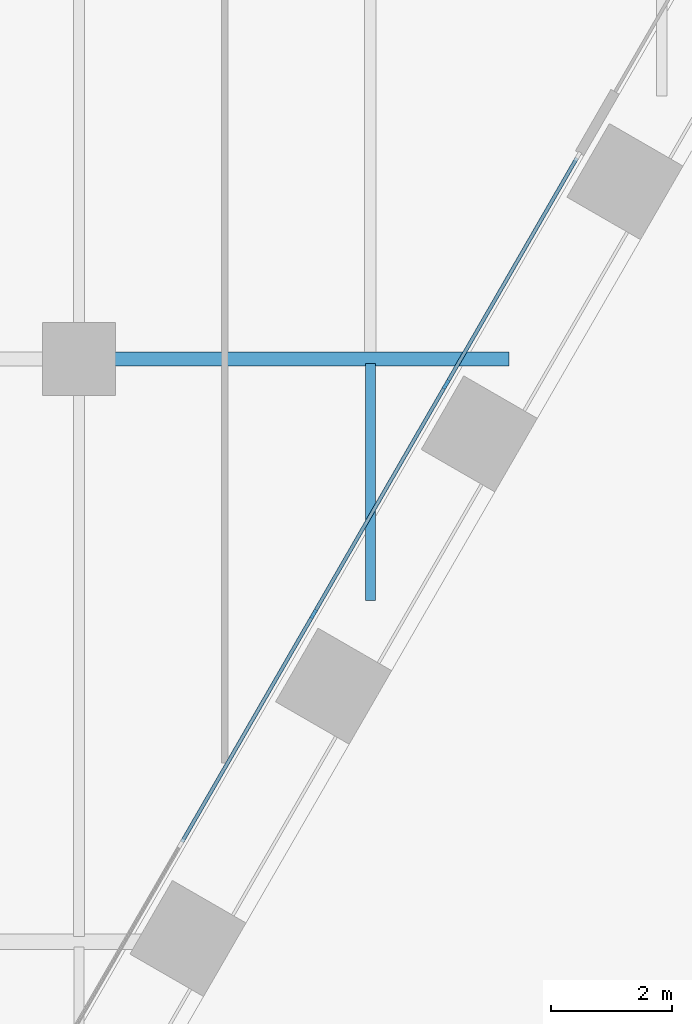
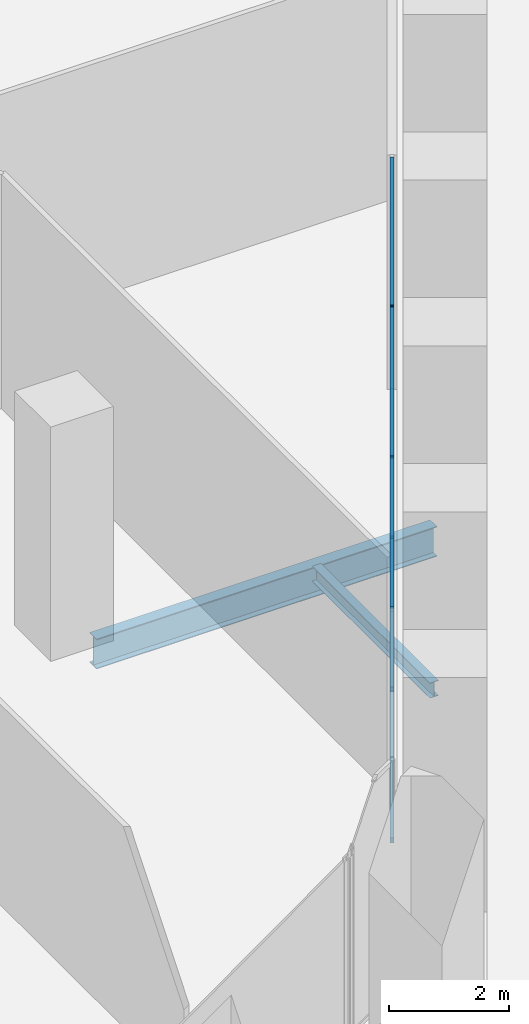
# One storey, part 5 of 29: 8 members, 2 beams, 1 element without a shape of its own.
"""IFC4 building model written with IfcOpenShell, lengths in metres."""

from ifc_helpers import new_model, si_unit, direction, frame, origin, origin_2d, place, context, subcontext, project, spatial, rectangle, i_section, extrude, material, material_profile, profile_set, type_object, element, aggregate, save


model = new_model("IFC4")

# Units and contexts
model_context = context("Model", 3, precision=1e-05, world=origin(), true_north=direction((0.0, 1.0)))
body_context = subcontext(model_context, "Body", "Model", "MODEL_VIEW")
ifc_project = project(units=[si_unit("LENGTHUNIT", "METRE"), si_unit("AREAUNIT", "SQUARE_METRE"), si_unit("VOLUMEUNIT", "CUBIC_METRE"), si_unit("PLANEANGLEUNIT", "RADIAN"), si_unit("MASSUNIT", "GRAM", prefix="KILO")], contexts=[model_context])

# Site, building, storey
site_placement = place(None, origin())
site = spatial("IfcSite", under=ifc_project, at=site_placement, CompositionType="ELEMENT")
building_placement = place(site_placement, origin())
building = spatial("IfcBuilding", under=site, at=building_placement, Name="Kolab Exchange Tower", CompositionType="ELEMENT")
storey_placement = place(building_placement, frame((0.0, 0.0, 17.39990234375)))
storey = spatial("IfcBuildingStorey", under=building, at=storey_placement, Name="L03", CompositionType="ELEMENT", Elevation=17.39990234375)

# Beams
ifc_material_1 = material(Name="Steel S355", Category="steel")
ifc_material_profile_1 = material_profile(ifc_material_1, i_section(OverallWidth=0.1650390625, OverallDepth=0.31005859375, WebThickness=0.005859375, FlangeThickness=0.009765625, at=origin_2d()), Name="W310X39")
ifc_profile_set_1 = profile_set([ifc_material_profile_1], Name="Steel S355")
beam_type_1 = type_object("IfcBeamType", Name="FLOOR BEAM W310X39", PredefinedType="BEAM", material=ifc_profile_set_1)
beam_1_placement = place(storey_placement, frame((24.0, -23.181396484375, -0.40478515625), z_axis=(0.0, 1.0, 0.0), x_axis=(-1.0, 0.0, 0.0)))
element("IfcBeam", 1, at=beam_1_placement, inside=storey, type_object=beam_type_1, Name="beam/L03/fr/068", PredefinedType="BEAM", context=body_context, shape_type="SweptSolid", body=[
    extrude(i_section(OverallWidth=0.1650390625, OverallDepth=0.31005859375, WebThickness=0.005859375, FlangeThickness=0.009765625, at=origin_2d()), origin(), (0.0, 0.0, 1.0), 3.907470703125),
])
ifc_material_profile_2 = material_profile(ifc_material_1, i_section(OverallWidth=0.22802734375, OverallDepth=0.60791015625, WebThickness=0.01123046875, FlangeThickness=0.017333984375, at=origin_2d()), Name="W610X113")
ifc_profile_set_2 = profile_set([ifc_material_profile_2], Name="Steel S355")
beam_type_2 = type_object("IfcBeamType", Name="FLOOR GIRDER W610X113", PredefinedType="BEAM", material=ifc_profile_set_2)
beam_2_placement = place(storey_placement, frame((19.760009765625, -19.199951171875, -0.553955078125), z_axis=(1.0, 0.0, 0.0), x_axis=(0.0, 1.0, 0.0)))
element("IfcBeam", 2, at=beam_2_placement, inside=storey, type_object=beam_type_2, Name="beam/L03/gd/029", PredefinedType="BEAM", context=body_context, shape_type="SweptSolid", body=[
    extrude(i_section(OverallWidth=0.22802734375, OverallDepth=0.60791015625, WebThickness=0.01123046875, FlangeThickness=0.017333984375, at=origin_2d()), origin(), (0.0, 0.0, 1.0), 6.52685546875),
])

# Curtain wall, members
ifc_material_2 = material(Name="Aluminium EN AW-6063 T6", Category="aluminium")
curtain_wall_type = type_object("IfcCurtainWallType", Name="UNITISED LOW ZONE CURTAIN WALL", PredefinedType="NOTDEFINED", material=ifc_material_2)
curtain_wall_placement = place(storey_placement, origin())
curtain_wall = element("IfcCurtainWall", 3, at=curtain_wall_placement, inside=storey, type_object=curtain_wall_type, Name="cw/L03/F3-2", PredefinedType="NOTDEFINED")
ifc_material_profile_3 = material_profile(ifc_material_2, rectangle(XDim=0.06005859375, YDim=0.159912109375, at=origin_2d()), Name="RECT 60X160")
ifc_profile_set_3 = profile_set([ifc_material_profile_3], Name="Aluminium EN AW-6063 T6")
member_type_1 = type_object("IfcMemberType", Name="UNITISED LOW ZONE MULLION 60 X 160", PredefinedType="MULLION", material=ifc_profile_set_3)
member_1_placement = place(storey_placement, frame((25.248291015625, -19.61962890625, 0.0), z_axis=(0.0, 0.0, 1.0), x_axis=(0.866025397318, -0.5000000112, 0.0)))
member_1 = element("IfcMember", 4, at=member_1_placement, type_object=member_type_1, Name="CW1 mullion 2", PredefinedType="MULLION", context=body_context, shape_type="SweptSolid", body=[
    extrude(rectangle(XDim=0.06005859375, YDim=0.159912109375, at=origin_2d()), origin(), (0.0, 0.0, 1.0), 4.75),
])
member_2_placement = place(storey_placement, frame((23.064697265625, -23.401611328125, 0.0), z_axis=(0.0, 0.0, 1.0), x_axis=(0.866025397318, -0.5000000112, 0.0)))
member_2 = element("IfcMember", 5, at=member_2_placement, type_object=member_type_1, Name="CW1 mullion 3", PredefinedType="MULLION", context=body_context, shape_type="SweptSolid", body=[
    extrude(rectangle(XDim=0.06005859375, YDim=0.159912109375, at=origin_2d()), origin(), (0.0, 0.0, 1.0), 4.75),
])
ifc_material_profile_4 = material_profile(ifc_material_2, rectangle(XDim=0.06005859375, YDim=0.10009765625, at=origin_2d()), Name="RECT 60X100")
ifc_profile_set_4 = profile_set([ifc_material_profile_4], Name="Aluminium EN AW-6063 T6")
member_type_2 = type_object("IfcMemberType", Name="UNITISED LOW ZONE TRANSOM 60 X 100", PredefinedType="USERDEFINED", material=ifc_profile_set_4)
member_3_placement = place(storey_placement, frame((27.401611328125, -15.8896484375, 0.030029296875), z_axis=(-0.499976099074, -0.866039202551, 0.0), x_axis=(0.866039202551, -0.499976099074, 0.0)))
member_3 = element("IfcMember", 6, at=member_3_placement, type_object=member_type_2, Name="CW1 transom 1.1", ObjectType="TRANSOM", PredefinedType="USERDEFINED", context=body_context, shape_type="SweptSolid", body=[
    extrude(rectangle(XDim=0.06005859375, YDim=0.10009765625, at=origin_2d()), origin(), (0.0, 0.0, 1.0), 4.277099609375),
])
member_4_placement = place(storey_placement, frame((27.401611328125, -15.8896484375, 4.72021484375), z_axis=(-0.499976099074, -0.866039202551, 0.0), x_axis=(0.866039202551, -0.499976099074, 0.0)))
member_4 = element("IfcMember", 7, at=member_4_placement, type_object=member_type_2, Name="CW1 transom 1.2", ObjectType="TRANSOM", PredefinedType="USERDEFINED", context=body_context, shape_type="SweptSolid", body=[
    extrude(rectangle(XDim=0.06005859375, YDim=0.10009765625, at=origin_2d()), origin(), (0.0, 0.0, 1.0), 4.277099609375),
])
member_5_placement = place(storey_placement, frame((25.233154296875, -19.6455078125, 0.030029296875), z_axis=(-0.500010313095, -0.866019449435, 0.0), x_axis=(0.866019449435, -0.500010313095, 0.0)))
member_5 = element("IfcMember", 8, at=member_5_placement, type_object=member_type_2, Name="CW1 transom 2.1", ObjectType="TRANSOM", PredefinedType="USERDEFINED", context=body_context, shape_type="SweptSolid", body=[
    extrude(rectangle(XDim=0.06005859375, YDim=0.10009765625, at=origin_2d()), origin(), (0.0, 0.0, 1.0), 4.30712890625),
])
member_6_placement = place(storey_placement, frame((25.233154296875, -19.6455078125, 4.72021484375), z_axis=(-0.500010313095, -0.866019449435, 0.0), x_axis=(0.866019449435, -0.500010313095, 0.0)))
member_6 = element("IfcMember", 9, at=member_6_placement, type_object=member_type_2, Name="CW1 transom 2.2", ObjectType="TRANSOM", PredefinedType="USERDEFINED", context=body_context, shape_type="SweptSolid", body=[
    extrude(rectangle(XDim=0.06005859375, YDim=0.10009765625, at=origin_2d()), origin(), (0.0, 0.0, 1.0), 4.30712890625),
])
member_7_placement = place(storey_placement, frame((23.0498046875, -23.427490234375, 0.030029296875), z_axis=(-0.500010313095, -0.866019449435, 0.0), x_axis=(0.866019449435, -0.500010313095, 0.0)))
member_7 = element("IfcMember", 10, at=member_7_placement, type_object=member_type_2, Name="CW1 transom 3.1", ObjectType="TRANSOM", PredefinedType="USERDEFINED", context=body_context, shape_type="SweptSolid", body=[
    extrude(rectangle(XDim=0.06005859375, YDim=0.10009765625, at=origin_2d()), origin(), (0.0, 0.0, 1.0), 4.30712890625),
])
member_8_placement = place(storey_placement, frame((23.0498046875, -23.427490234375, 4.72021484375), z_axis=(-0.500010313095, -0.866019449435, 0.0), x_axis=(0.866019449435, -0.500010313095, 0.0)))
member_8 = element("IfcMember", 11, at=member_8_placement, type_object=member_type_2, Name="CW1 transom 3.2", ObjectType="TRANSOM", PredefinedType="USERDEFINED", context=body_context, shape_type="SweptSolid", body=[
    extrude(rectangle(XDim=0.06005859375, YDim=0.10009765625, at=origin_2d()), origin(), (0.0, 0.0, 1.0), 4.30712890625),
])
aggregate(curtain_wall, [member_1, member_2, member_3, member_4, member_5, member_6, member_7, member_8])

save(model, "model.ifc")
